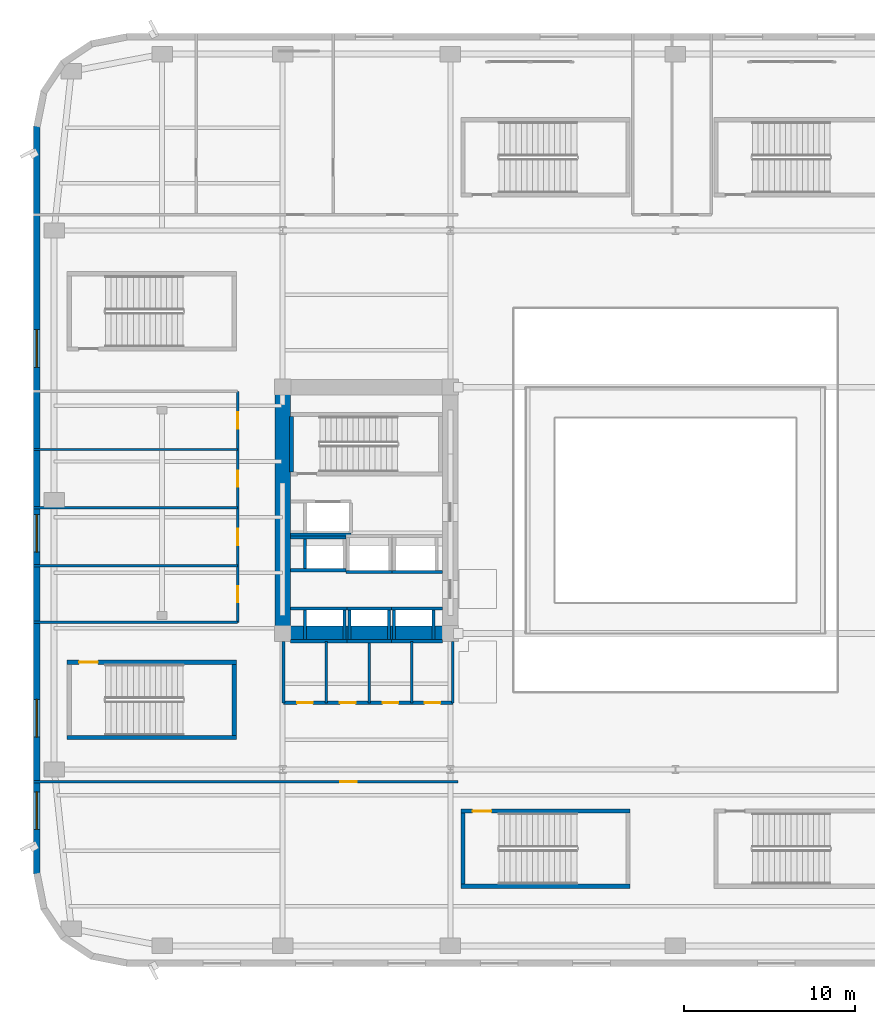
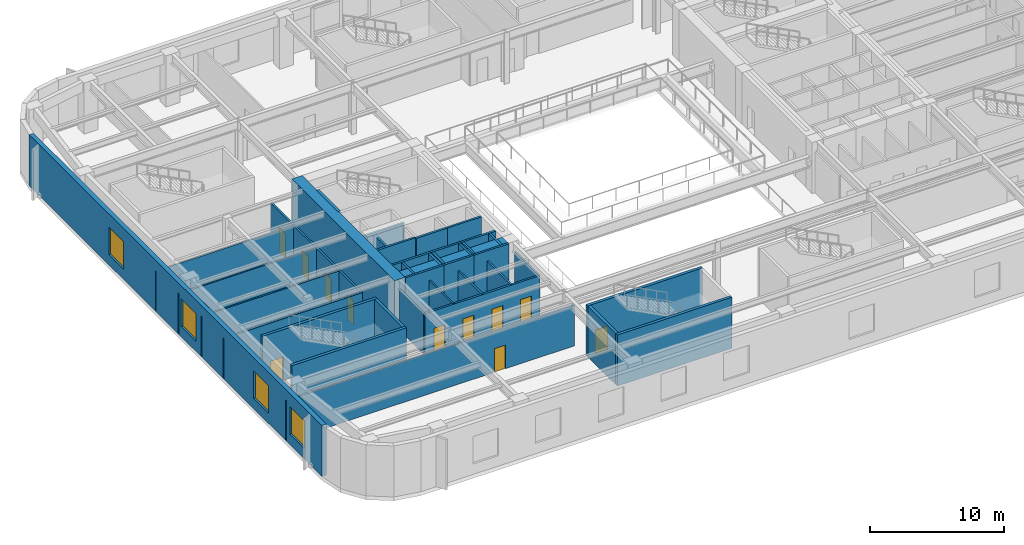
# One storey, part 5 of 21: 40 walls, 11 doors, 4 windows, 15 openings.
"""IFC4 building model written with IfcOpenShell, lengths in metres."""

from ifc_helpers import new_model, si_unit, direction, frame, frame_2d, origin, place, context, subcontext, project, spatial, rectangle, extrude, material, layer, layer_set, type_object, element, fill, save


model = new_model("IFC4")

# Units and contexts
model_context = context("Model", 3, precision=1e-05, world=origin(), true_north=direction((0.0, 1.0)))
body_context = subcontext(model_context, "Body", "Model", "MODEL_VIEW")
ifc_project = project(units=[si_unit("LENGTHUNIT", "METRE"), si_unit("AREAUNIT", "SQUARE_METRE"), si_unit("VOLUMEUNIT", "CUBIC_METRE"), si_unit("PLANEANGLEUNIT", "RADIAN"), si_unit("MASSUNIT", "GRAM", prefix="KILO")], contexts=[model_context])

# Site, building, storey
site_placement = place(None, origin())
site = spatial("IfcSite", under=ifc_project, at=site_placement, CompositionType="ELEMENT")
building_placement = place(site_placement, origin())
building = spatial("IfcBuilding", under=site, at=building_placement, Name="Kolvaren Arena Tower", CompositionType="ELEMENT")
storey_placement = place(building_placement, frame((0.0, 0.0, 18.0)))
storey = spatial("IfcBuildingStorey", under=building, at=storey_placement, Name="L03", CompositionType="ELEMENT", Elevation=18.0)

# Wall, openings, doors
ifc_material_1 = material(Name="Gypsum board acoustic assembly", Category="gypsum")
ifc_layer_1 = layer(ifc_material_1, 0.159912109375)
ifc_layer_set_1 = layer_set([ifc_layer_1], Name="Gypsum board acoustic assembly")
wall_type_1 = type_object("IfcWallType", Name="CORR-160", PredefinedType="PARTITIONING", material=ifc_layer_set_1)
wall_1_placement = place(storey_placement, frame((11.919921875, 20.10009765625, 0.0), z_axis=(0.0, 0.0, 1.0), x_axis=(0.0, 1.0, 0.0)))
wall_1 = element("IfcWall", 1, at=wall_1_placement, inside=storey, type_object=wall_type_1, Name="Interior Partition Wall (L03)", PredefinedType="PARTITIONING", context=body_context, shape_type="SweptSolid", body=[
    extrude(rectangle(XDim=13.5, YDim=0.159912109375, at=frame_2d((6.75, 0.0))), origin(), (0.0, 0.0, 1.0), 3.7099609375),
])
opening_1_placement = place(wall_1_placement, frame((1.169921875, 0.0, 0.0)))
opening_1 = element("IfcOpeningElement", 2, at=opening_1_placement, cuts=wall_1, Name="Opening D05", PredefinedType="OPENING", context=body_context, shape_type="SweptSolid", body=[
    extrude(rectangle(XDim=0.949951171875, YDim=2.14990234375, at=frame_2d((0.47509765625, 1.074951171875))), frame((0.0, 0.08984375, 0.0), z_axis=(0.0, -1.0, 0.0), x_axis=(1.0, 0.0, 0.0)), (0.0, 0.0, 1.0), 0.179931640625),
])
opening_2_placement = place(wall_1_placement, frame((4.52001953125, 0.0, 0.0)))
opening_2 = element("IfcOpeningElement", 3, at=opening_2_placement, cuts=wall_1, Name="Opening D05", PredefinedType="OPENING", context=body_context, shape_type="SweptSolid", body=[
    extrude(rectangle(XDim=0.949951171875, YDim=2.14990234375, at=frame_2d((0.47509765625, 1.074951171875))), frame((0.0, 0.08984375, 0.0), z_axis=(0.0, -1.0, 0.0), x_axis=(1.0, 0.0, 0.0)), (0.0, 0.0, 1.0), 0.179931640625),
])
opening_3_placement = place(wall_1_placement, frame((7.919921875, 0.0, 0.0)))
opening_3 = element("IfcOpeningElement", 4, at=opening_3_placement, cuts=wall_1, Name="Opening D05", PredefinedType="OPENING", context=body_context, shape_type="SweptSolid", body=[
    extrude(rectangle(XDim=0.949951171875, YDim=2.14990234375, at=frame_2d((0.47509765625, 1.074951171875))), frame((0.0, 0.08984375, 0.0), z_axis=(0.0, -1.0, 0.0), x_axis=(1.0, 0.0, 0.0)), (0.0, 0.0, 1.0), 0.179931640625),
])
opening_4_placement = place(wall_1_placement, frame((11.320068359375, 0.0, 0.0)))
opening_4 = element("IfcOpeningElement", 5, at=opening_4_placement, cuts=wall_1, Name="Opening D05", PredefinedType="OPENING", context=body_context, shape_type="SweptSolid", body=[
    extrude(rectangle(XDim=0.949951171875, YDim=2.14990234375, at=frame_2d((0.47509765625, 1.074951171875))), frame((0.0, 0.08984375, 0.0), z_axis=(0.0, -1.0, 0.0), x_axis=(1.0, 0.0, 0.0)), (0.0, 0.0, 1.0), 0.179931640625),
])
ifc_material_2 = material(Name="Solid-core oak acoustic office door", Category="wood")
door_type_1 = type_object("IfcDoorType", Name="DOOR-OF-095", OperationType="NOTDEFINED", PredefinedType="DOOR", material=ifc_material_2)
door_1_placement = place(opening_1_placement, origin())
door_1 = element("IfcDoor", 6, at=door_1_placement, inside=storey, type_object=door_type_1, Name="Event Operations Office Door (L03)", OperationType="SINGLE_SWING_LEFT", OverallHeight=2.14990234375, OverallWidth=0.949951171875, PredefinedType="DOOR", context=body_context, shape_type="SweptSolid", body=[
    extrude(rectangle(XDim=0.949951171875, YDim=2.14990234375, at=frame_2d((0.47509765625, 1.074951171875))), frame((0.0, 0.02490234375, 0.0), z_axis=(0.0, -1.0, 0.0), x_axis=(1.0, 0.0, 0.0)), (0.0, 0.0, 1.0), 0.050048828125),
])
fill(opening_1, door_1)
door_2_placement = place(opening_2_placement, origin())
door_2 = element("IfcDoor", 7, at=door_2_placement, inside=storey, type_object=door_type_1, Name="Acoustic Control Room Door (L03)", OperationType="SINGLE_SWING_LEFT", OverallHeight=2.14990234375, OverallWidth=0.949951171875, PredefinedType="DOOR", context=body_context, shape_type="SweptSolid", body=[
    extrude(rectangle(XDim=0.949951171875, YDim=2.14990234375, at=frame_2d((0.47509765625, 1.074951171875))), frame((0.0, 0.02490234375, 0.0), z_axis=(0.0, -1.0, 0.0), x_axis=(1.0, 0.0, 0.0)), (0.0, 0.0, 1.0), 0.050048828125),
])
fill(opening_2, door_2)
door_3_placement = place(opening_3_placement, origin())
door_3 = element("IfcDoor", 8, at=door_3_placement, inside=storey, type_object=door_type_1, Name="First Aid Medical Room Door (L03)", OperationType="SINGLE_SWING_LEFT", OverallHeight=2.14990234375, OverallWidth=0.949951171875, PredefinedType="DOOR", context=body_context, shape_type="SweptSolid", body=[
    extrude(rectangle(XDim=0.949951171875, YDim=2.14990234375, at=frame_2d((0.47509765625, 1.074951171875))), frame((0.0, 0.02490234375, 0.0), z_axis=(0.0, -1.0, 0.0), x_axis=(1.0, 0.0, 0.0)), (0.0, 0.0, 1.0), 0.050048828125),
])
fill(opening_3, door_3)
door_4_placement = place(opening_4_placement, origin())
door_4 = element("IfcDoor", 9, at=door_4_placement, inside=storey, type_object=door_type_1, Name="Media Interview Room Door (L03)", OperationType="SINGLE_SWING_LEFT", OverallHeight=2.14990234375, OverallWidth=0.949951171875, PredefinedType="DOOR", context=body_context, shape_type="SweptSolid", body=[
    extrude(rectangle(XDim=0.949951171875, YDim=2.14990234375, at=frame_2d((0.47509765625, 1.074951171875))), frame((0.0, 0.02490234375, 0.0), z_axis=(0.0, -1.0, 0.0), x_axis=(1.0, 0.0, 0.0)), (0.0, 0.0, 1.0), 0.050048828125),
])
fill(opening_4, door_4)

# Wall
wall_2_placement = place(storey_placement, frame((0.0, 20.10009765625, 0.0), z_axis=(0.0, 0.0, 1.0), x_axis=(1.0, 0.0, 0.0)))
element("IfcWall", 10, at=wall_2_placement, inside=storey, type_object=wall_type_1, Name="Interior Partition Wall (L03)", PredefinedType="PARTITIONING", context=body_context, shape_type="SweptSolid", body=[
    extrude(rectangle(XDim=11.919921875, YDim=0.159912109375, at=frame_2d((5.9599609375, 0.0))), origin(), (0.0, 0.0, 1.0), 3.7099609375),
])

# Wall, opening, door
wall_3_placement = place(storey_placement, frame((0.0, 10.780029296875, 0.0), z_axis=(0.0, 0.0, 1.0), x_axis=(1.0, 0.0, 0.0)))
wall_3 = element("IfcWall", 11, at=wall_3_placement, inside=storey, type_object=wall_type_1, Name="Interior Partition Wall (L03)", PredefinedType="PARTITIONING", context=body_context, shape_type="SweptSolid", body=[
    extrude(rectangle(XDim=24.800048828125, YDim=0.159912109375, at=frame_2d((12.39990234375, 0.0))), origin(), (0.0, 0.0, 1.0), 3.7099609375),
])
opening_5_placement = place(wall_3_placement, frame((17.919921875, 0.0, 0.0)))
opening_5 = element("IfcOpeningElement", 12, at=opening_5_placement, cuts=wall_3, Name="Opening D05", PredefinedType="OPENING", context=body_context, shape_type="SweptSolid", body=[
    extrude(rectangle(XDim=0.949951171875, YDim=2.14990234375, at=frame_2d((0.47509765625, 1.074951171875))), frame((0.0, 0.08984375, 0.0), z_axis=(0.0, -1.0, 0.0), x_axis=(1.0, 0.0, 0.0)), (0.0, 0.0, 1.0), 0.179931640625),
])
door_5_placement = place(opening_5_placement, origin())
door_5 = element("IfcDoor", 13, at=door_5_placement, inside=storey, type_object=door_type_1, Name="Guest Services Studio Door (L03)", OperationType="SINGLE_SWING_LEFT", OverallHeight=2.14990234375, OverallWidth=0.949951171875, PredefinedType="DOOR", context=body_context, shape_type="SweptSolid", body=[
    extrude(rectangle(XDim=0.949951171875, YDim=2.14990234375, at=frame_2d((0.47509765625, 1.074951171875))), frame((0.0, 0.02490234375, 0.0), z_axis=(0.0, -1.0, 0.0), x_axis=(1.0, 0.0, 0.0)), (0.0, 0.0, 1.0), 0.050048828125),
])
fill(opening_5, door_5)

# Walls
ifc_material_3 = material(Name="Concrete 80 MPa", Category="concrete")
ifc_layer_2 = layer(ifc_material_3, 0.89990234375)
ifc_layer_set_2 = layer_set([ifc_layer_2], Name="Concrete 80 MPa")
wall_type_2 = type_object("IfcWallType", Name="CWALL-900", PredefinedType="SHEAR", material=ifc_layer_set_2)
wall_4_placement = place(storey_placement, frame((14.550048828125, 19.0, -0.35009765625), z_axis=(0.0, 0.0, 1.0), x_axis=(0.0, 1.0, 0.0)))
element("IfcWall", 14, at=wall_4_placement, inside=storey, type_object=wall_type_2, Name="Core Shear Wall WC-WEST (L03)", PredefinedType="SHEAR", context=body_context, shape_type="SweptSolid", body=[
    extrude(rectangle(XDim=15.300048828125, YDim=0.89990234375, at=frame_2d((7.64990234375, 0.0))), origin(), (0.0, 0.0, 1.0), 5.0),
])
wall_5_placement = place(storey_placement, frame((15.0, 19.449951171875, -0.35009765625), z_axis=(0.0, 0.0, 1.0), x_axis=(1.0, 0.0, 0.0)))
element("IfcWall", 15, at=wall_5_placement, inside=storey, type_object=wall_type_2, Name="Core Shear Wall WC-SOUTH (L03)", PredefinedType="SHEAR", context=body_context, shape_type="SweptSolid", body=[
    extrude(rectangle(XDim=8.89990234375, YDim=0.89990234375, at=frame_2d((4.449951171875, 0.0))), origin(), (0.0, 0.0, 1.0), 5.0),
])

# Wall, openings, windows
ifc_material_4 = material(Name="Precast concrete C50/60", Category="concrete")
ifc_layer_3 = layer(ifc_material_4, 0.3798828125)
ifc_layer_set_3 = layer_set([ifc_layer_3], Name="Precast concrete C50/60")
wall_type_3 = type_object("IfcWallType", Name="EXT-ARENA", PredefinedType="SOLIDWALL", material=ifc_layer_set_3)
wall_6_placement = place(storey_placement, frame((0.18994140625, 5.39990234375, 0.0), z_axis=(0.0, 0.0, 1.0), x_axis=(0.0, 1.0, 0.0)))
wall_6 = element("IfcWall", 16, at=wall_6_placement, inside=storey, type_object=wall_type_3, Name="Exterior Precast Masonry-Frame Wall (L03)", PredefinedType="SOLIDWALL", context=body_context, shape_type="SweptSolid", body=[
    extrude(rectangle(XDim=43.7001953125, YDim=0.3798828125, at=frame_2d((21.85009765625, 0.0))), origin(), (0.0, 0.0, 1.0), 4.64990234375),
])
opening_6_placement = place(wall_6_placement, frame((2.60009765625, 0.0, 0.949951171875)))
opening_6 = element("IfcOpeningElement", 17, at=opening_6_placement, cuts=wall_6, Name="Opening W07", PredefinedType="OPENING", context=body_context, shape_type="SweptSolid", body=[
    extrude(rectangle(XDim=2.199951171875, YDim=2.5, at=frame_2d((1.10009765625, 1.25))), frame((0.0, 0.199951171875, 0.0), z_axis=(0.0, -1.0, 0.0), x_axis=(1.0, 0.0, 0.0)), (0.0, 0.0, 1.0), 0.39990234375),
])
opening_7_placement = place(wall_6_placement, frame((8.0, 0.0, 0.949951171875)))
opening_7 = element("IfcOpeningElement", 18, at=opening_7_placement, cuts=wall_6, Name="Opening W07", PredefinedType="OPENING", context=body_context, shape_type="SweptSolid", body=[
    extrude(rectangle(XDim=2.199951171875, YDim=2.5, at=frame_2d((1.10009765625, 1.25))), frame((0.0, 0.199951171875, 0.0), z_axis=(0.0, -1.0, 0.0), x_axis=(1.0, 0.0, 0.0)), (0.0, 0.0, 1.0), 0.39990234375),
])
opening_8_placement = place(wall_6_placement, frame((18.800048828125, 0.0, 0.949951171875)))
opening_8 = element("IfcOpeningElement", 19, at=opening_8_placement, cuts=wall_6, Name="Opening W07", PredefinedType="OPENING", context=body_context, shape_type="SweptSolid", body=[
    extrude(rectangle(XDim=2.199951171875, YDim=2.5, at=frame_2d((1.10009765625, 1.25))), frame((0.0, 0.199951171875, 0.0), z_axis=(0.0, -1.0, 0.0), x_axis=(1.0, 0.0, 0.0)), (0.0, 0.0, 1.0), 0.39990234375),
])
opening_9_placement = place(wall_6_placement, frame((29.60009765625, 0.0, 0.949951171875)))
opening_9 = element("IfcOpeningElement", 20, at=opening_9_placement, cuts=wall_6, Name="Opening W07", PredefinedType="OPENING", context=body_context, shape_type="SweptSolid", body=[
    extrude(rectangle(XDim=2.199951171875, YDim=2.5, at=frame_2d((1.10009765625, 1.25))), frame((0.0, 0.199951171875, 0.0), z_axis=(0.0, -1.0, 0.0), x_axis=(1.0, 0.0, 0.0)), (0.0, 0.0, 1.0), 0.39990234375),
])
ifc_material_5 = material(Name="Triple-glazed arena concourse window", Category="glass")
window_type = type_object("IfcWindowType", Name="WIN-POD-A", PartitioningType="DOUBLE_PANEL_VERTICAL", PredefinedType="WINDOW", material=ifc_material_5)
window_1_placement = place(opening_6_placement, origin())
window_1 = element("IfcWindow", 21, at=window_1_placement, inside=storey, type_object=window_type, Name="Punched Precast-Pier Window (L03)", OverallHeight=2.5, OverallWidth=2.199951171875, PartitioningType="DOUBLE_PANEL_VERTICAL", PredefinedType="WINDOW", context=body_context, shape_type="SweptSolid", body=[
    extrude(rectangle(XDim=2.199951171875, YDim=2.5, at=frame_2d((1.10009765625, 1.25))), frame((0.0, 0.030029296875, 0.0), z_axis=(0.0, -1.0, 0.0), x_axis=(1.0, 0.0, 0.0)), (0.0, 0.0, 1.0), 0.06005859375),
])
fill(opening_6, window_1)
window_2_placement = place(opening_7_placement, origin())
window_2 = element("IfcWindow", 22, at=window_2_placement, inside=storey, type_object=window_type, Name="Punched Precast-Pier Window (L03)", OverallHeight=2.5, OverallWidth=2.199951171875, PartitioningType="DOUBLE_PANEL_VERTICAL", PredefinedType="WINDOW", context=body_context, shape_type="SweptSolid", body=[
    extrude(rectangle(XDim=2.199951171875, YDim=2.5, at=frame_2d((1.10009765625, 1.25))), frame((0.0, 0.030029296875, 0.0), z_axis=(0.0, -1.0, 0.0), x_axis=(1.0, 0.0, 0.0)), (0.0, 0.0, 1.0), 0.06005859375),
])
fill(opening_7, window_2)
window_3_placement = place(opening_8_placement, origin())
window_3 = element("IfcWindow", 23, at=window_3_placement, inside=storey, type_object=window_type, Name="Punched Precast-Pier Window (L03)", OverallHeight=2.5, OverallWidth=2.199951171875, PartitioningType="DOUBLE_PANEL_VERTICAL", PredefinedType="WINDOW", context=body_context, shape_type="SweptSolid", body=[
    extrude(rectangle(XDim=2.199951171875, YDim=2.5, at=frame_2d((1.10009765625, 1.25))), frame((0.0, 0.030029296875, 0.0), z_axis=(0.0, -1.0, 0.0), x_axis=(1.0, 0.0, 0.0)), (0.0, 0.0, 1.0), 0.06005859375),
])
fill(opening_8, window_3)
window_4_placement = place(opening_9_placement, origin())
window_4 = element("IfcWindow", 24, at=window_4_placement, inside=storey, type_object=window_type, Name="Punched Precast-Pier Window (L03)", OverallHeight=2.5, OverallWidth=2.199951171875, PartitioningType="DOUBLE_PANEL_VERTICAL", PredefinedType="WINDOW", context=body_context, shape_type="SweptSolid", body=[
    extrude(rectangle(XDim=2.199951171875, YDim=2.5, at=frame_2d((1.10009765625, 1.25))), frame((0.0, 0.030029296875, 0.0), z_axis=(0.0, -1.0, 0.0), x_axis=(1.0, 0.0, 0.0)), (0.0, 0.0, 1.0), 0.06005859375),
])
fill(opening_9, window_4)

# Walls
ifc_material_6 = material(Name="Gypsum board partition assembly", Category="gypsum")
ifc_layer_4 = layer(ifc_material_6, 0.135009765625)
ifc_layer_set_4 = layer_set([ifc_layer_4], Name="Gypsum board partition assembly")
wall_type_4 = type_object("IfcWallType", Name="PART-135", PredefinedType="PARTITIONING", material=ifc_layer_set_4)
for number, where, z_axis, x_axis, name in (
    (25, (0.0, 23.39990234375, 0.0), (0.0, 0.0, 1.0), (1.0, 0.0, 0.0), "Interior Partition Wall (L03)"),
    (26, (0.0, 26.800048828125, 0.0), (0.0, 0.0, 1.0), (1.0, 0.0, 0.0), "Interior Partition Wall (L03)"),
    (27, (0.0, 30.199951171875, 0.0), (0.0, 0.0, 1.0), (1.0, 0.0, 0.0), "Interior Partition Wall (L03)"),
):
    element("IfcWall", number, at=place(storey_placement, frame(where, z_axis=z_axis, x_axis=x_axis)), inside=storey, type_object=wall_type_4, Name=name, PredefinedType="PARTITIONING", context=body_context, shape_type="SweptSolid", body=[
        extrude(rectangle(XDim=11.919921875, YDim=0.135009765625, at=frame_2d((5.9599609375, 0.0))), origin(), (0.0, 0.0, 1.0), 3.7099609375),
    ])

# Wall, opening, door
ifc_material_7 = material(Name="Concrete 45 MPa", Category="concrete")
ifc_layer_5 = layer(ifc_material_7, 0.25)
ifc_layer_set_5 = layer_set([ifc_layer_5], Name="Concrete 45 MPa")
wall_type_5 = type_object("IfcWallType", Name="SHAFT-250", PredefinedType="SOLIDWALL", material=ifc_layer_set_5)
wall_7_placement = place(storey_placement, frame((1.9599609375, 17.77001953125, 0.0), z_axis=(0.0, 0.0, 1.0), x_axis=(1.0, 0.0, 0.0)))
wall_7 = element("IfcWall", 28, at=wall_7_placement, inside=storey, type_object=wall_type_5, Name="Stair ST-A1 Rated Enclosure Wall (L03)", PredefinedType="SOLIDWALL", context=body_context, shape_type="SweptSolid", body=[
    extrude(rectangle(XDim=9.880126953125, YDim=0.239990234375, at=frame_2d((4.93994140625, 0.0))), origin(), (0.0, 0.0, 1.0), 4.64990234375),
])
opening_10_placement = place(wall_7_placement, frame((0.68994140625, 0.0, 0.0)))
opening_10 = element("IfcOpeningElement", 29, at=opening_10_placement, cuts=wall_7, Name="Opening D03", PredefinedType="OPENING", context=body_context, shape_type="SweptSolid", body=[
    extrude(rectangle(XDim=1.10009765625, YDim=2.14990234375, at=frame_2d((0.550048828125, 1.074951171875))), frame((0.0, 0.1298828125, 0.0), z_axis=(0.0, -1.0, 0.0), x_axis=(1.0, 0.0, 0.0)), (0.0, 0.0, 1.0), 0.260009765625),
])
ifc_material_8 = material(Name="Fire-rated steel exit stair door", Category="steel")
door_type_2 = type_object("IfcDoorType", Name="DOOR-ST-110", OperationType="NOTDEFINED", PredefinedType="DOOR", material=ifc_material_8)
door_6_placement = place(opening_10_placement, origin())
door_6 = element("IfcDoor", 30, at=door_6_placement, inside=storey, type_object=door_type_2, Name="Exit Stair ST-A1 Fire Door (L03)", OperationType="SINGLE_SWING_RIGHT", OverallHeight=2.14990234375, OverallWidth=1.10009765625, PredefinedType="DOOR", context=body_context, shape_type="SweptSolid", body=[
    extrude(rectangle(XDim=1.10009765625, YDim=2.14990234375, at=frame_2d((0.550048828125, 1.074951171875))), frame((0.0, 0.02490234375, 0.0), z_axis=(0.0, -1.0, 0.0), x_axis=(1.0, 0.0, 0.0)), (0.0, 0.0, 1.0), 0.050048828125),
])
fill(opening_10, door_6)

# Walls
wall_8_placement = place(storey_placement, frame((1.9599609375, 13.3798828125, 0.0), z_axis=(0.0, 0.0, 1.0), x_axis=(1.0, 0.0, 0.0)))
element("IfcWall", 31, at=wall_8_placement, inside=storey, type_object=wall_type_5, Name="Stair ST-A1 Rear Shaft Wall (L03)", PredefinedType="SOLIDWALL", context=body_context, shape_type="SweptSolid", body=[
    extrude(rectangle(XDim=9.880126953125, YDim=0.239990234375, at=frame_2d((4.93994140625, 0.0))), origin(), (0.0, 0.0, 1.0), 4.64990234375),
])
wall_9_placement = place(storey_placement, frame((11.719970703125, 13.5, 0.0), z_axis=(0.0, 0.0, 1.0), x_axis=(0.0, 1.0, 0.0)))
element("IfcWall", 32, at=wall_9_placement, inside=storey, type_object=wall_type_5, Name="Stair ST-A1 East Shaft Wall (L03)", PredefinedType="SOLIDWALL", context=body_context, shape_type="SweptSolid", body=[
    extrude(rectangle(XDim=4.14990234375, YDim=0.239990234375, at=frame_2d((2.074951171875, 0.0))), origin(), (0.0, 0.0, 1.0), 4.64990234375),
])

# Wall, opening, door
wall_10_placement = place(storey_placement, frame((24.9599609375, 9.070068359375, 0.0), z_axis=(0.0, 0.0, 1.0), x_axis=(1.0, 0.0, 0.0)))
wall_10 = element("IfcWall", 33, at=wall_10_placement, inside=storey, type_object=wall_type_5, Name="Stair ST-A2 Rated Enclosure Wall (L03)", PredefinedType="SOLIDWALL", context=body_context, shape_type="SweptSolid", body=[
    extrude(rectangle(XDim=9.880126953125, YDim=0.239990234375, at=frame_2d((4.93994140625, 0.0))), origin(), (0.0, 0.0, 1.0), 4.64990234375),
])
opening_11_placement = place(wall_10_placement, frame((0.68994140625, 0.0, 0.0)))
opening_11 = element("IfcOpeningElement", 34, at=opening_11_placement, cuts=wall_10, Name="Opening D03", PredefinedType="OPENING", context=body_context, shape_type="SweptSolid", body=[
    extrude(rectangle(XDim=1.10009765625, YDim=2.14990234375, at=frame_2d((0.550048828125, 1.074951171875))), frame((0.0, 0.1298828125, 0.0), z_axis=(0.0, -1.0, 0.0), x_axis=(1.0, 0.0, 0.0)), (0.0, 0.0, 1.0), 0.260009765625),
])
door_7_placement = place(opening_11_placement, origin())
door_7 = element("IfcDoor", 35, at=door_7_placement, inside=storey, type_object=door_type_2, Name="Exit Stair ST-A2 Fire Door (L03)", OperationType="SINGLE_SWING_RIGHT", OverallHeight=2.14990234375, OverallWidth=1.10009765625, PredefinedType="DOOR", context=body_context, shape_type="SweptSolid", body=[
    extrude(rectangle(XDim=1.10009765625, YDim=2.14990234375, at=frame_2d((0.550048828125, 1.074951171875))), frame((0.0, 0.02490234375, 0.0), z_axis=(0.0, -1.0, 0.0), x_axis=(1.0, 0.0, 0.0)), (0.0, 0.0, 1.0), 0.050048828125),
])
fill(opening_11, door_7)

# Walls
wall_11_placement = place(storey_placement, frame((24.9599609375, 4.679931640625, 0.0), z_axis=(0.0, 0.0, 1.0), x_axis=(1.0, 0.0, 0.0)))
element("IfcWall", 36, at=wall_11_placement, inside=storey, type_object=wall_type_5, Name="Stair ST-A2 Rear Shaft Wall (L03)", PredefinedType="SOLIDWALL", context=body_context, shape_type="SweptSolid", body=[
    extrude(rectangle(XDim=9.880126953125, YDim=0.239990234375, at=frame_2d((4.93994140625, 0.0))), origin(), (0.0, 0.0, 1.0), 4.64990234375),
])
wall_12_placement = place(storey_placement, frame((25.080078125, 4.800048828125, 0.0), z_axis=(0.0, 0.0, 1.0), x_axis=(0.0, 1.0, 0.0)))
element("IfcWall", 37, at=wall_12_placement, inside=storey, type_object=wall_type_5, Name="Stair ST-A2 West Shaft Wall (L03)", PredefinedType="SOLIDWALL", context=body_context, shape_type="SweptSolid", body=[
    extrude(rectangle(XDim=4.14990234375, YDim=0.239990234375, at=frame_2d((2.074951171875, 0.0))), origin(), (0.0, 0.0, 1.0), 4.64990234375),
])
wall_13_placement = place(storey_placement, frame((15.06005859375, 28.89990234375, 0.0), z_axis=(0.0, 0.0, 1.0), x_axis=(0.0, 1.0, 0.0)))
element("IfcWall", 38, at=wall_13_placement, inside=storey, type_object=wall_type_5, Name="Core Shaft Wall (L03)", PredefinedType="SOLIDWALL", context=body_context, shape_type="SweptSolid", body=[
    extrude(rectangle(XDim=3.22998046875, YDim=0.239990234375, at=frame_2d((1.614990234375, 0.0))), origin(), (0.0, 0.0, 1.0), 4.64990234375),
])
for number, where, z_axis, x_axis, name in (
    (39, (15.0, 20.905029296875, 0.0), (0.0, 0.0, 1.0), (1.0, 0.0, 0.0), "Core Shaft Wall (L03)"),
    (40, (15.0, 18.9951171875, 0.0), (0.0, 0.0, 1.0), (1.0, 0.0, 0.0), "Core Shaft Wall (L03)"),
):
    element("IfcWall", number, at=place(storey_placement, frame(where, z_axis=z_axis, x_axis=x_axis)), inside=storey, type_object=wall_type_5, Name=name, PredefinedType="SOLIDWALL", context=body_context, shape_type="SweptSolid", body=[
        extrude(rectangle(XDim=3.300048828125, YDim=0.179931640625, at=frame_2d((1.64990234375, 0.0))), origin(), (0.0, 0.0, 1.0), 4.64990234375),
    ])
for number, where, z_axis, x_axis, name in (
    (41, (15.844970703125, 19.0849609375, 0.0), (0.0, 0.0, 1.0), (0.0, 1.0, 0.0), "Core Shaft Wall (L03)"),
    (42, (18.155029296875, 19.0849609375, 0.0), (0.0, 0.0, 1.0), (0.0, 1.0, 0.0), "Core Shaft Wall (L03)"),
):
    element("IfcWall", number, at=place(storey_placement, frame(where, z_axis=z_axis, x_axis=x_axis)), inside=storey, type_object=wall_type_5, Name=name, PredefinedType="SOLIDWALL", context=body_context, shape_type="SweptSolid", body=[
        extrude(rectangle(XDim=1.72998046875, YDim=0.179931640625, at=frame_2d((0.864990234375, 0.0))), origin(), (0.0, 0.0, 1.0), 4.64990234375),
    ])
for number, where, z_axis, x_axis, name in (
    (43, (18.300048828125, 20.905029296875, 0.0), (0.0, 0.0, 1.0), (1.0, 0.0, 0.0), "Core Shaft Wall (L03)"),
    (44, (18.300048828125, 18.9951171875, 0.0), (0.0, 0.0, 1.0), (1.0, 0.0, 0.0), "Core Shaft Wall (L03)"),
):
    element("IfcWall", number, at=place(storey_placement, frame(where, z_axis=z_axis, x_axis=x_axis)), inside=storey, type_object=wall_type_5, Name=name, PredefinedType="SOLIDWALL", context=body_context, shape_type="SweptSolid", body=[
        extrude(rectangle(XDim=2.599853515625, YDim=0.179931640625, at=frame_2d((1.2998046875, 0.0))), origin(), (0.0, 0.0, 1.0), 4.64990234375),
    ])
for number, where, z_axis, x_axis, name in (
    (45, (18.445068359375, 19.0849609375, 0.0), (0.0, 0.0, 1.0), (0.0, 1.0, 0.0), "Core Shaft Wall (L03)"),
    (46, (20.7548828125, 19.0849609375, 0.0), (0.0, 0.0, 1.0), (0.0, 1.0, 0.0), "Core Shaft Wall (L03)"),
):
    element("IfcWall", number, at=place(storey_placement, frame(where, z_axis=z_axis, x_axis=x_axis)), inside=storey, type_object=wall_type_5, Name=name, PredefinedType="SOLIDWALL", context=body_context, shape_type="SweptSolid", body=[
        extrude(rectangle(XDim=1.72998046875, YDim=0.179931640625, at=frame_2d((0.864990234375, 0.0))), origin(), (0.0, 0.0, 1.0), 4.64990234375),
    ])
for number, where, z_axis, x_axis, name in (
    (47, (20.89990234375, 20.905029296875, 0.0), (0.0, 0.0, 1.0), (1.0, 0.0, 0.0), "Core Shaft Wall (L03)"),
    (48, (20.89990234375, 18.9951171875, 0.0), (0.0, 0.0, 1.0), (1.0, 0.0, 0.0), "Core Shaft Wall (L03)"),
):
    element("IfcWall", number, at=place(storey_placement, frame(where, z_axis=z_axis, x_axis=x_axis)), inside=storey, type_object=wall_type_5, Name=name, PredefinedType="SOLIDWALL", context=body_context, shape_type="SweptSolid", body=[
        extrude(rectangle(XDim=3.0, YDim=0.179931640625, at=frame_2d((1.5, 0.0))), origin(), (0.0, 0.0, 1.0), 4.64990234375),
    ])
for number, where, z_axis, x_axis, name in (
    (49, (21.044921875, 19.0849609375, 0.0), (0.0, 0.0, 1.0), (0.0, 1.0, 0.0), "Core Shaft Wall (L03)"),
    (50, (23.35498046875, 19.0849609375, 0.0), (0.0, 0.0, 1.0), (0.0, 1.0, 0.0), "Core Shaft Wall (L03)"),
):
    element("IfcWall", number, at=place(storey_placement, frame(where, z_axis=z_axis, x_axis=x_axis)), inside=storey, type_object=wall_type_5, Name=name, PredefinedType="SOLIDWALL", context=body_context, shape_type="SweptSolid", body=[
        extrude(rectangle(XDim=1.72998046875, YDim=0.179931640625, at=frame_2d((0.864990234375, 0.0))), origin(), (0.0, 0.0, 1.0), 4.64990234375),
    ])
for number, where, z_axis, x_axis, name in (
    (51, (15.0, 25.054931640625, 0.0), (0.0, 0.0, 1.0), (1.0, 0.0, 0.0), "Core Shaft Wall (L03)"),
    (52, (15.0, 23.14501953125, 0.0), (0.0, 0.0, 1.0), (1.0, 0.0, 0.0), "Core Shaft Wall (L03)"),
):
    element("IfcWall", number, at=place(storey_placement, frame(where, z_axis=z_axis, x_axis=x_axis)), inside=storey, type_object=wall_type_5, Name=name, PredefinedType="SOLIDWALL", context=body_context, shape_type="SweptSolid", body=[
        extrude(rectangle(XDim=3.262451171875, YDim=0.179931640625, at=frame_2d((1.63134765625, 0.0))), origin(), (0.0, 0.0, 1.0), 4.64990234375),
    ])
wall_14_placement = place(storey_placement, frame((15.844970703125, 23.235107421875, 0.0), z_axis=(0.0, 0.0, 1.0), x_axis=(0.0, 1.0, 0.0)))
element("IfcWall", 53, at=wall_14_placement, inside=storey, type_object=wall_type_5, Name="Core Shaft Wall (L03)", PredefinedType="SOLIDWALL", context=body_context, shape_type="SweptSolid", body=[
    extrude(rectangle(XDim=1.72998046875, YDim=0.179931640625, at=frame_2d((0.864990234375, 0.0))), origin(), (0.0, 0.0, 1.0), 4.64990234375),
])
wall_15_placement = place(storey_placement, frame((18.262451171875, 23.044921875, 0.0), z_axis=(0.0, 0.0, 1.0), x_axis=(1.0, 0.0, 0.0)))
element("IfcWall", 54, at=wall_15_placement, inside=storey, type_object=wall_type_5, Name="Core Shaft Wall (L03)", PredefinedType="SOLIDWALL", context=body_context, shape_type="SweptSolid", body=[
    extrude(rectangle(XDim=2.6875, YDim=0.179931640625, at=frame_2d((1.34375, 0.0))), origin(), (0.0, 0.0, 1.0), 4.64990234375),
])
wall_16_placement = place(storey_placement, frame((20.949951171875, 23.044921875, 0.0), z_axis=(0.0, 0.0, 1.0), x_axis=(1.0, 0.0, 0.0)))
element("IfcWall", 55, at=wall_16_placement, inside=storey, type_object=wall_type_5, Name="Core Shaft Wall (L03)", PredefinedType="SOLIDWALL", context=body_context, shape_type="SweptSolid", body=[
    extrude(rectangle(XDim=2.949951171875, YDim=0.179931640625, at=frame_2d((1.47509765625, 0.0))), origin(), (0.0, 0.0, 1.0), 4.64990234375),
])
wall_17_placement = place(storey_placement, frame((15.0, 25.2451171875, 0.0), z_axis=(0.0, 0.0, 1.0), x_axis=(1.0, 0.0, 0.0)))
element("IfcWall", 56, at=wall_17_placement, inside=storey, type_object=wall_type_5, Name="Core Shaft Wall (L03)", PredefinedType="SOLIDWALL", context=body_context, shape_type="SweptSolid", body=[
    extrude(rectangle(XDim=3.530029296875, YDim=0.179931640625, at=frame_2d((1.76513671875, 0.0))), origin(), (0.0, 0.0, 1.0), 4.64990234375),
])
ifc_material_9 = material(Name="Moisture-resistant gypsum assembly", Category="gypsum")
ifc_layer_6 = layer(ifc_material_9, 0.14990234375)
ifc_layer_set_6 = layer_set([ifc_layer_6], Name="Moisture-resistant gypsum assembly")
wall_type_6 = type_object("IfcWallType", Name="WETW-150", PredefinedType="PARTITIONING", material=ifc_layer_set_6)
for number, where, z_axis, x_axis, name in (
    (57, (17.10009765625, 15.39990234375, 0.0), (0.0, 0.0, 1.0), (0.0, 1.0, 0.0), "Interior Partition Wall (L03)"),
    (58, (19.60009765625, 15.39990234375, 0.0), (0.0, 0.0, 1.0), (0.0, 1.0, 0.0), "Interior Partition Wall (L03)"),
    (59, (22.10009765625, 15.39990234375, 0.0), (0.0, 0.0, 1.0), (0.0, 1.0, 0.0), "Interior Partition Wall (L03)"),
):
    element("IfcWall", number, at=place(storey_placement, frame(where, z_axis=z_axis, x_axis=x_axis)), inside=storey, type_object=wall_type_6, Name=name, PredefinedType="PARTITIONING", context=body_context, shape_type="SweptSolid", body=[
        extrude(rectangle(XDim=3.580078125, YDim=0.14990234375, at=frame_2d((1.7900390625, 0.0))), origin(), (0.0, 0.0, 1.0), 3.7099609375),
    ])

# Wall, openings, doors
wall_18_placement = place(storey_placement, frame((14.60009765625, 15.39990234375, 0.0), z_axis=(0.0, 0.0, 1.0), x_axis=(1.0, 0.0, 0.0)))
wall_18 = element("IfcWall", 60, at=wall_18_placement, inside=storey, type_object=wall_type_6, Name="Interior Partition Wall (L03)", PredefinedType="PARTITIONING", context=body_context, shape_type="SweptSolid", body=[
    extrude(rectangle(XDim=9.89990234375, YDim=0.179931640625, at=frame_2d((4.949951171875, 0.0))), origin(), (0.0, 0.0, 1.0), 3.7099609375),
])
opening_12_placement = place(wall_18_placement, frame((0.7900390625, 0.0, 0.0)))
opening_12 = element("IfcOpeningElement", 61, at=opening_12_placement, cuts=wall_18, Name="Opening D07", PredefinedType="OPENING", context=body_context, shape_type="SweptSolid", body=[
    extrude(rectangle(XDim=0.919921875, YDim=2.10009765625, at=frame_2d((0.4599609375, 1.050048828125))), frame((0.0, 0.099853515625, 0.0), z_axis=(0.0, -1.0, 0.0), x_axis=(1.0, 0.0, 0.0)), (0.0, 0.0, 1.0), 0.199951171875),
])
opening_13_placement = place(wall_18_placement, frame((3.2900390625, 0.0, 0.0)))
opening_13 = element("IfcOpeningElement", 62, at=opening_13_placement, cuts=wall_18, Name="Opening D07", PredefinedType="OPENING", context=body_context, shape_type="SweptSolid", body=[
    extrude(rectangle(XDim=0.919921875, YDim=2.10009765625, at=frame_2d((0.4599609375, 1.050048828125))), frame((0.0, 0.099853515625, 0.0), z_axis=(0.0, -1.0, 0.0), x_axis=(1.0, 0.0, 0.0)), (0.0, 0.0, 1.0), 0.199951171875),
])
opening_14_placement = place(wall_18_placement, frame((5.7900390625, 0.0, 0.0)))
opening_14 = element("IfcOpeningElement", 63, at=opening_14_placement, cuts=wall_18, Name="Opening D07", PredefinedType="OPENING", context=body_context, shape_type="SweptSolid", body=[
    extrude(rectangle(XDim=0.919921875, YDim=2.10009765625, at=frame_2d((0.4599609375, 1.050048828125))), frame((0.0, 0.099853515625, 0.0), z_axis=(0.0, -1.0, 0.0), x_axis=(1.0, 0.0, 0.0)), (0.0, 0.0, 1.0), 0.199951171875),
])
opening_15_placement = place(wall_18_placement, frame((8.239990234375, 0.0, 0.0)))
opening_15 = element("IfcOpeningElement", 64, at=opening_15_placement, cuts=wall_18, Name="Opening D07", PredefinedType="OPENING", context=body_context, shape_type="SweptSolid", body=[
    extrude(rectangle(XDim=0.919921875, YDim=2.10009765625, at=frame_2d((0.4599609375, 1.050048828125))), frame((0.0, 0.099853515625, 0.0), z_axis=(0.0, -1.0, 0.0), x_axis=(1.0, 0.0, 0.0)), (0.0, 0.0, 1.0), 0.199951171875),
])
ifc_material_10 = material(Name="Laminate universal washroom door", Category="wood")
door_type_3 = type_object("IfcDoorType", Name="DOOR-WC-092", OperationType="NOTDEFINED", PredefinedType="DOOR", material=ifc_material_10)
door_8_placement = place(opening_12_placement, origin())
door_8 = element("IfcDoor", 65, at=door_8_placement, inside=storey, type_object=door_type_3, Name="Women Restroom Door (L03)", OperationType="SINGLE_SWING_LEFT", OverallHeight=2.10009765625, OverallWidth=0.919921875, PredefinedType="DOOR", context=body_context, shape_type="SweptSolid", body=[
    extrude(rectangle(XDim=0.919921875, YDim=2.10009765625, at=frame_2d((0.4599609375, 1.050048828125))), frame((0.0, 0.02490234375, 0.0), z_axis=(0.0, -1.0, 0.0), x_axis=(1.0, 0.0, 0.0)), (0.0, 0.0, 1.0), 0.050048828125),
])
fill(opening_12, door_8)
door_9_placement = place(opening_13_placement, origin())
door_9 = element("IfcDoor", 66, at=door_9_placement, inside=storey, type_object=door_type_3, Name="Men Restroom Door (L03)", OperationType="SINGLE_SWING_RIGHT", OverallHeight=2.10009765625, OverallWidth=0.919921875, PredefinedType="DOOR", context=body_context, shape_type="SweptSolid", body=[
    extrude(rectangle(XDim=0.919921875, YDim=2.10009765625, at=frame_2d((0.4599609375, 1.050048828125))), frame((0.0, 0.02490234375, 0.0), z_axis=(0.0, -1.0, 0.0), x_axis=(1.0, 0.0, 0.0)), (0.0, 0.0, 1.0), 0.050048828125),
])
fill(opening_13, door_9)
door_10_placement = place(opening_14_placement, origin())
door_10 = element("IfcDoor", 67, at=door_10_placement, inside=storey, type_object=door_type_3, Name="Universal Barrier-Free Washroom Door (L03)", OperationType="SINGLE_SWING_LEFT", OverallHeight=2.10009765625, OverallWidth=0.919921875, PredefinedType="DOOR", context=body_context, shape_type="SweptSolid", body=[
    extrude(rectangle(XDim=0.919921875, YDim=2.10009765625, at=frame_2d((0.4599609375, 1.050048828125))), frame((0.0, 0.02490234375, 0.0), z_axis=(0.0, -1.0, 0.0), x_axis=(1.0, 0.0, 0.0)), (0.0, 0.0, 1.0), 0.050048828125),
])
fill(opening_14, door_10)
door_11_placement = place(opening_15_placement, origin())
door_11 = element("IfcDoor", 68, at=door_11_placement, inside=storey, type_object=door_type_3, Name="Linen Store Door (L03)", OperationType="SINGLE_SWING_RIGHT", OverallHeight=2.10009765625, OverallWidth=0.919921875, PredefinedType="DOOR", context=body_context, shape_type="SweptSolid", body=[
    extrude(rectangle(XDim=0.919921875, YDim=2.10009765625, at=frame_2d((0.4599609375, 1.050048828125))), frame((0.0, 0.02490234375, 0.0), z_axis=(0.0, -1.0, 0.0), x_axis=(1.0, 0.0, 0.0)), (0.0, 0.0, 1.0), 0.050048828125),
])
fill(opening_15, door_11)

# Walls
for number, where, z_axis, x_axis, name in (
    (69, (14.60009765625, 15.39990234375, 0.0), (0.0, 0.0, 1.0), (0.0, 1.0, 0.0), "Interior Partition Wall (L03)"),
    (70, (24.5, 15.39990234375, 0.0), (0.0, 0.0, 1.0), (0.0, 1.0, 0.0), "Interior Partition Wall (L03)"),
):
    element("IfcWall", number, at=place(storey_placement, frame(where, z_axis=z_axis, x_axis=x_axis)), inside=storey, type_object=wall_type_6, Name=name, PredefinedType="PARTITIONING", context=body_context, shape_type="SweptSolid", body=[
        extrude(rectangle(XDim=3.580078125, YDim=0.14990234375, at=frame_2d((1.7900390625, 0.0))), origin(), (0.0, 0.0, 1.0), 3.7099609375),
    ])

save(model, "model.ifc")
